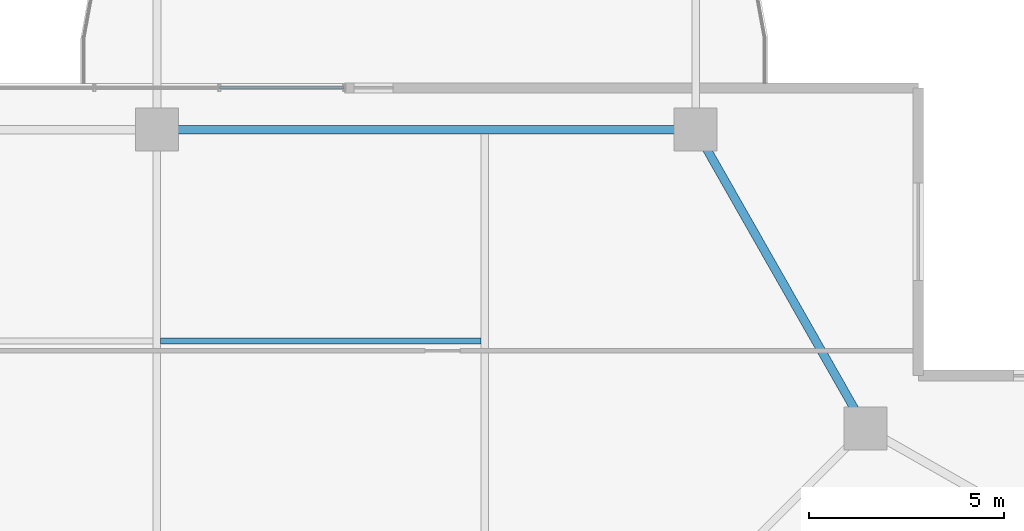
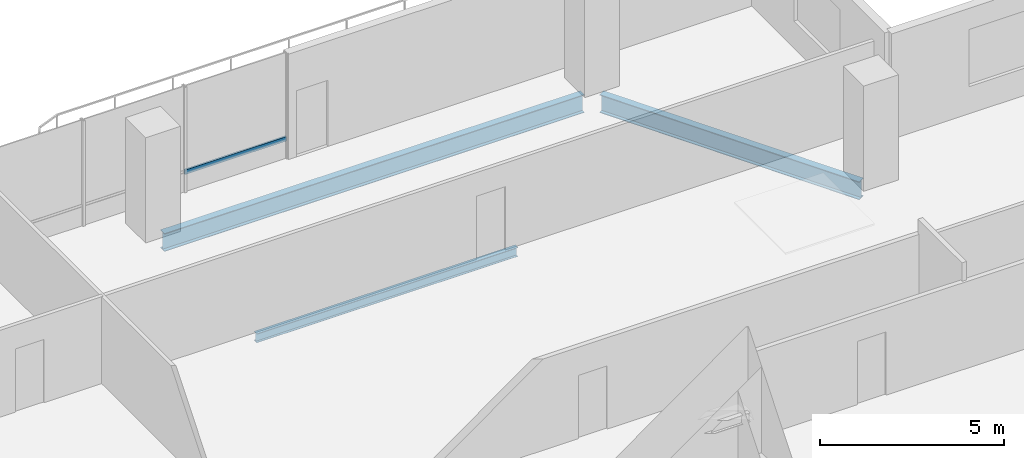
# One storey, part 14 of 24: 3 beams, 1 member, 1 element without a shape of its own.
"""IFC4 building model written with IfcOpenShell, lengths in metres."""

from ifc_helpers import new_model, si_unit, direction, frame, origin, origin_2d, place, context, subcontext, project, spatial, hollow_rectangle, i_section, extrude, material, layer, layer_set, material_profile, profile_set, type_object, element, aggregate, save


model = new_model("IFC4")

# Units and contexts
model_context = context("Model", 3, precision=1e-05, world=origin(), true_north=direction((0.0, 1.0)))
body_context = subcontext(model_context, "Body", "Model", "MODEL_VIEW")
ifc_project = project(units=[si_unit("LENGTHUNIT", "METRE"), si_unit("AREAUNIT", "SQUARE_METRE"), si_unit("VOLUMEUNIT", "CUBIC_METRE"), si_unit("PLANEANGLEUNIT", "RADIAN"), si_unit("MASSUNIT", "GRAM", prefix="KILO")], contexts=[model_context])

# Site, building, storey
site_placement = place(None, origin())
site = spatial("IfcSite", under=ifc_project, at=site_placement, CompositionType="ELEMENT")
building_placement = place(site_placement, origin())
building = spatial("IfcBuilding", under=site, at=building_placement, Name="Belovzor Exchange Tower", CompositionType="ELEMENT")
storey_placement = place(building_placement, frame((0.0, 0.0, 207.449951171875)))
storey = spatial("IfcBuildingStorey", under=building, at=storey_placement, Name="L51", CompositionType="ELEMENT", Elevation=207.449951171875)

# Beam
ifc_material_1 = material(Name="Steel S355", Category="steel")
ifc_material_profile_1 = material_profile(ifc_material_1, i_section(OverallWidth=0.14990234375, OverallDepth=0.300048828125, WebThickness=0.007080078125, FlangeThickness=0.0107421875, at=origin_2d()))
ifc_profile_set_1 = profile_set([ifc_material_profile_1], Name="Steel S355")
beam_type_1 = type_object("IfcBeamType", Name="Secondary Trim Floor Joist IPE 300", PredefinedType="BEAM", material=ifc_profile_set_1)
beam_1_placement = place(storey_placement, frame((28.89501953125, 49.18701171875, -0.39990234375), z_axis=(1.0, 0.0, 0.0), x_axis=(0.0, 1.0, 0.0)))
element("IfcBeam", 1, at=beam_1_placement, inside=storey, type_object=beam_type_1, Name="FJ-300 Secondary Trim Floor Joist IPE 300", PredefinedType="BEAM", context=body_context, shape_type="SweptSolid", body=[
    extrude(i_section(OverallWidth=0.14990234375, OverallDepth=0.300048828125, WebThickness=0.007080078125, FlangeThickness=0.0107421875, at=origin_2d()), origin(), (0.0, 0.0, 1.0), 8.2099609375),
])

# Curtain wall, member
ifc_material_2 = material(Name="Anodised Aluminium Framing", Category="aluminium")
ifc_layer = layer(ifc_material_2, 0.179931640625)
ifc_layer_set = layer_set([ifc_layer], Name="Anodised Aluminium Framing")
curtain_wall_type = type_object("IfcCurtainWallType", Name="Recessed Loggia Low-Iron Triple-Glazed Curtain Wall", PredefinedType="NOTDEFINED", material=ifc_layer_set)
curtain_wall_placement = place(storey_placement, origin())
curtain_wall = element("IfcCurtainWall", 2, at=curtain_wall_placement, inside=storey, type_object=curtain_wall_type, Name="CW3 Recessed Loggia Low-Iron Triple-Glazed Curtain Wall L51", PredefinedType="NOTDEFINED")
ifc_material_3 = material(Name="Steel S355", Category="steel")
ifc_material_profile_2 = material_profile(ifc_material_3, hollow_rectangle(XDim=0.06005859375, YDim=0.14990234375, WallThickness=0.00390625, at=origin_2d()))
ifc_profile_set_2 = profile_set([ifc_material_profile_2], Name="Steel S355")
member_type = type_object("IfcMemberType", Name="Thermally Broken Curtain Wall Transom 150x60", PredefinedType="USERDEFINED", material=ifc_profile_set_2)
member_placement = place(storey_placement, frame((30.407958984375, 55.669921875, 0.630126953125), z_axis=(1.0, 0.0, 0.0), x_axis=(0.0, 1.0, 0.0)))
member = element("IfcMember", 3, at=member_placement, type_object=member_type, Name="CW-T150 Curtain Wall Transom 3", ObjectType="TRANSOM", PredefinedType="USERDEFINED", context=body_context, shape_type="SweptSolid", body=[
    extrude(hollow_rectangle(XDim=0.06005859375, YDim=0.14990234375, WallThickness=0.00390625, at=origin_2d()), origin(), (0.0, 0.0, 1.0), 3.18408203125),
])
aggregate(curtain_wall, [member])

# Beams
ifc_material_4 = material(Name="Steel S355", Category="steel")
ifc_material_profile_3 = material_profile(ifc_material_4, i_section(OverallWidth=0.219970703125, OverallDepth=0.60009765625, WebThickness=0.011962890625, FlangeThickness=0.01904296875, at=origin_2d()))
ifc_profile_set_3 = profile_set([ifc_material_profile_3], Name="Steel S355")
beam_type_2 = type_object("IfcBeamType", Name="Zone 4 Flare Primary Girder IPE 600", PredefinedType="BEAM", material=ifc_profile_set_3)
beam_2_placement = place(storey_placement, frame((46.800048828125, 47.212890625, -0.550048828125), z_axis=(-0.494222323641, 0.869335547884, 0.0), x_axis=(-0.869335547884, -0.494222323641, 0.0)))
element("IfcBeam", 4, at=beam_2_placement, inside=storey, type_object=beam_type_2, Name="FG-Z4 Zone 4 Flare Primary Girder IPE 600", PredefinedType="BEAM", context=body_context, shape_type="SweptSolid", body=[
    extrude(i_section(OverallWidth=0.219970703125, OverallDepth=0.60009765625, WebThickness=0.011962890625, FlangeThickness=0.01904296875, at=origin_2d()), origin(), (0.0, 0.0, 1.0), 8.19482421875),
])
beam_3_placement = place(storey_placement, frame((42.297119140625, 54.60009765625, -0.550048828125), z_axis=(-1.0, 0.0, 0.0), x_axis=(0.0, -1.0, 0.0)))
element("IfcBeam", 5, at=beam_3_placement, inside=storey, type_object=beam_type_2, Name="FG-Z4 Zone 4 Flare Primary Girder IPE 600", PredefinedType="BEAM", context=body_context, shape_type="SweptSolid", body=[
    extrude(i_section(OverallWidth=0.219970703125, OverallDepth=0.60009765625, WebThickness=0.011962890625, FlangeThickness=0.01904296875, at=origin_2d()), origin(), (0.0, 0.0, 1.0), 13.195068359375),
])

save(model, "model.ifc")
